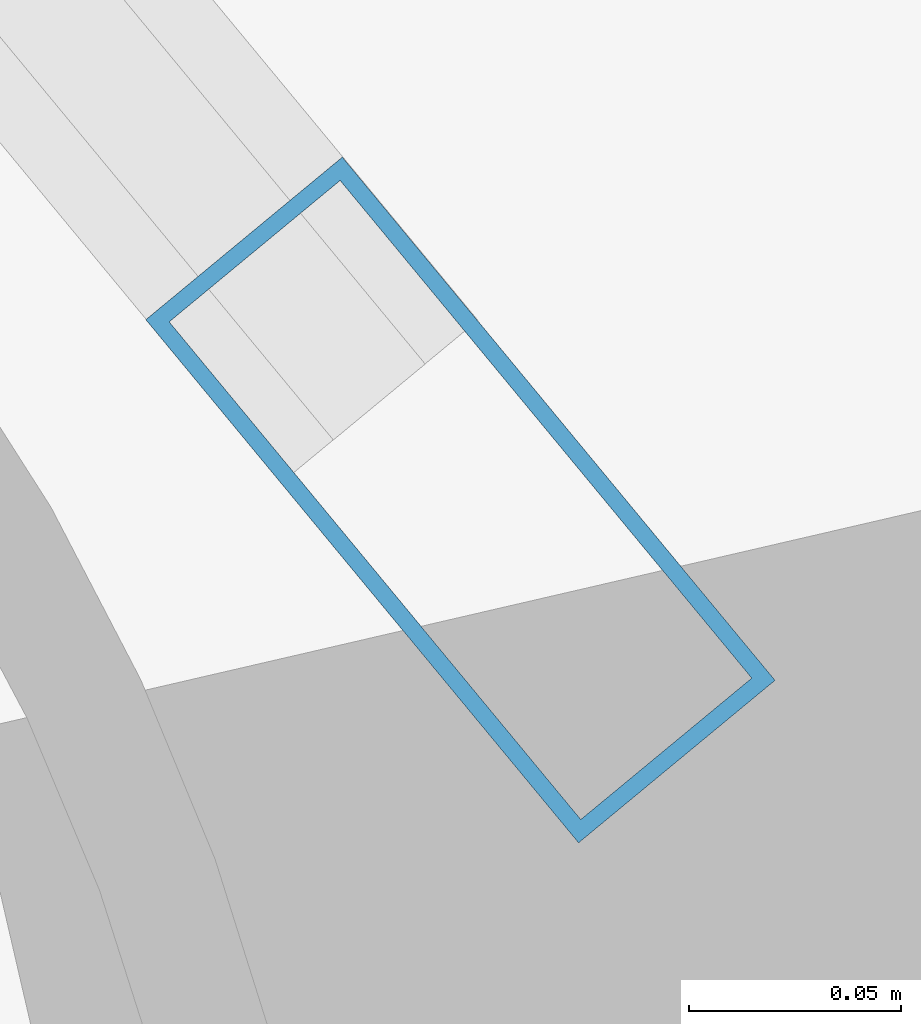
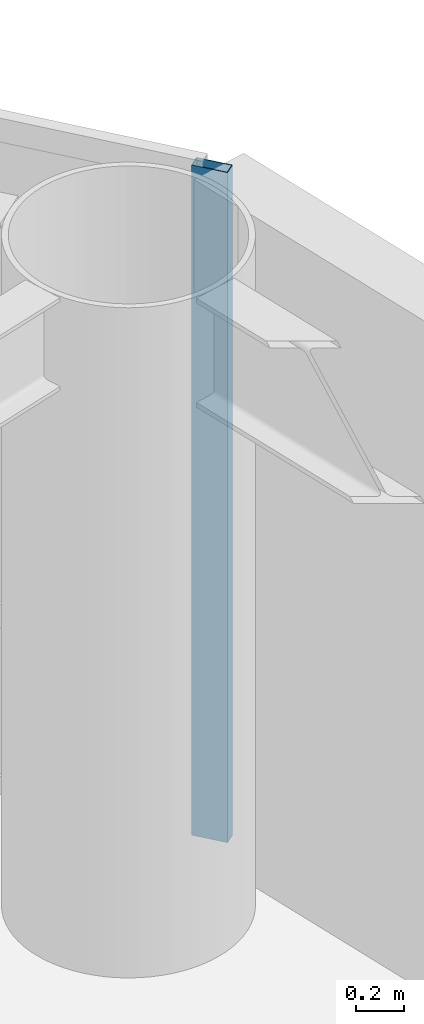
# One storey, part 9 of 28: 1 member, 1 element without a shape of its own.
"""IFC4 building model written with IfcOpenShell, lengths in metres."""

from ifc_helpers import new_model, si_unit, direction, frame, origin, origin_2d, place, context, subcontext, project, spatial, hollow_rectangle, extrude, material, layer, layer_set, material_profile, profile_set, type_object, element, aggregate, save


model = new_model("IFC4")

# Units and contexts
model_context = context("Model", 3, precision=1e-05, world=origin(), true_north=direction((0.0, 1.0)))
body_context = subcontext(model_context, "Body", "Model", "MODEL_VIEW")
ifc_project = project(units=[si_unit("LENGTHUNIT", "METRE"), si_unit("AREAUNIT", "SQUARE_METRE"), si_unit("VOLUMEUNIT", "CUBIC_METRE"), si_unit("PLANEANGLEUNIT", "RADIAN"), si_unit("MASSUNIT", "GRAM", prefix="KILO")], contexts=[model_context])

# Site, building, storey
site_placement = place(None, origin())
site = spatial("IfcSite", under=ifc_project, at=site_placement, CompositionType="ELEMENT")
building_placement = place(site_placement, origin())
building = spatial("IfcBuilding", under=site, at=building_placement, Name="Sarneth Arch Tower", CompositionType="ELEMENT")
storey_placement = place(building_placement, frame((0.0, 0.0, 154.199951171875)))
storey = spatial("IfcBuildingStorey", under=building, at=storey_placement, Name="L38", CompositionType="ELEMENT", Elevation=154.199951171875)

# Curtain wall, member
ifc_material_1 = material(Name="Anodised aluminium Type AA25 and solar-control low-e laminated IGU", Category="aluminium")
ifc_layer = layer(ifc_material_1, 0.169921875)
ifc_layer_set = layer_set([ifc_layer], Name="Anodised aluminium Type AA25 and solar-control low-e laminated IGU")
curtain_wall_type = type_object("IfcCurtainWallType", Name="CW-RES-MID", PredefinedType="NOTDEFINED", material=ifc_layer_set)
curtain_wall_placement = place(storey_placement, origin())
curtain_wall = element("IfcCurtainWall", 1, at=curtain_wall_placement, inside=storey, type_object=curtain_wall_type, Name="L38 Unitised curtain wall facet 02", PredefinedType="NOTDEFINED")
ifc_material_2 = material(Name="Anodised Aluminium 6063-T6", Category="aluminium")
ifc_material_profile = material_profile(ifc_material_2, hollow_rectangle(XDim=0.06005859375, YDim=0.159912109375, WallThickness=0.00390625, at=origin_2d()), Name="AL-MULL-160x60x4")
ifc_profile_set = profile_set([ifc_material_profile], Name="Anodised Aluminium 6063-T6")
member_type = type_object("IfcMemberType", Name="CW-MULLION", PredefinedType="MULLION", material=ifc_profile_set)
member_placement = place(storey_placement, frame((73.213134765625, 50.090087890625, 0.0), z_axis=(0.0, 0.0, 1.0), x_axis=(-0.770590741276, -0.637330298558, 0.0)))
member = element("IfcMember", 2, at=member_placement, type_object=member_type, Name="CW-SYS-5 mullion 1", PredefinedType="MULLION", context=body_context, shape_type="SweptSolid", body=[
    extrude(hollow_rectangle(XDim=0.06005859375, YDim=0.159912109375, WallThickness=0.00390625, at=origin_2d()), origin(), (0.0, 0.0, 1.0), 3.380126953125),
])
aggregate(curtain_wall, [member])

save(model, "model.ifc")
